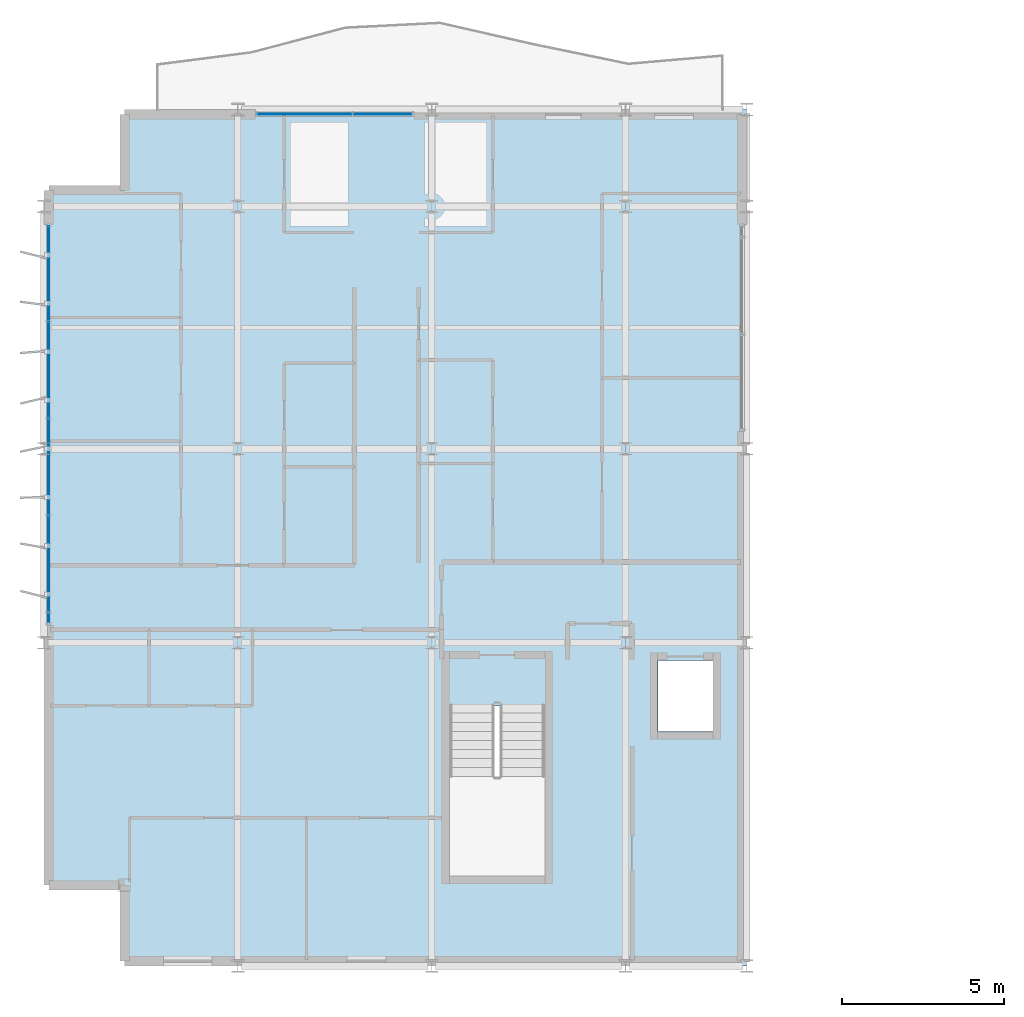
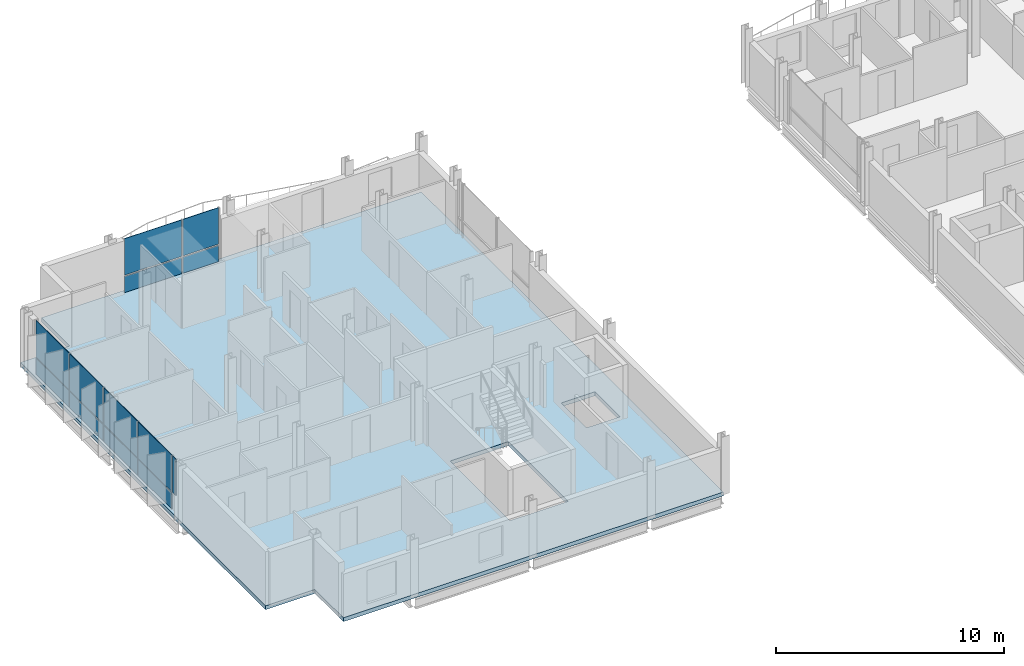
# One storey, part 15 of 28: 13 plates, 1 slab, 2 elements without a shape of their own.
"""IFC4 building model written with IfcOpenShell, lengths in metres."""

from ifc_helpers import new_model, si_unit, direction, frame, origin, origin_2d, place, context, subcontext, project, spatial, polyline, rectangle, outline, extrude, material, layer, layer_set, type_object, element, aggregate, save


model = new_model("IFC4")

# Units and contexts
model_context = context("Model", 3, precision=1e-05, world=origin(), true_north=direction((0.0, 1.0)))
body_context = subcontext(model_context, "Body", "Model", "MODEL_VIEW")
ifc_project = project(units=[si_unit("LENGTHUNIT", "METRE"), si_unit("AREAUNIT", "SQUARE_METRE"), si_unit("VOLUMEUNIT", "CUBIC_METRE"), si_unit("PLANEANGLEUNIT", "RADIAN"), si_unit("MASSUNIT", "GRAM", prefix="KILO")], contexts=[model_context])

# Site, building, storey
site_placement = place(None, origin())
site = spatial("IfcSite", under=ifc_project, at=site_placement, CompositionType="ELEMENT")
building_placement = place(site_placement, origin())
building = spatial("IfcBuilding", under=site, at=building_placement, Name="Brevholm Reach", CompositionType="ELEMENT")
storey_placement = place(building_placement, frame((0.0, 0.0, 192.5)))
storey = spatial("IfcBuildingStorey", under=building, at=storey_placement, Name="L58", CompositionType="ELEMENT", Elevation=192.5)

# Curtain wall, plates
ifc_material_1 = material(Name="Dark Anodised Aluminium 6063-T6 and Solar-Control Glass", Category="aluminium")
ifc_layer_1 = layer(ifc_material_1, 0.14990234375)
ifc_layer_set_1 = layer_set([ifc_layer_1], Name="Dark Anodised Aluminium 6063-T6 and Solar-Control Glass")
curtain_wall_type = type_object("IfcCurtainWallType", Name="CW-01", PredefinedType="NOTDEFINED", material=ifc_layer_set_1)
curtain_wall_1_placement = place(storey_placement, origin())
curtain_wall_1 = element("IfcCurtainWall", 1, at=curtain_wall_1_placement, inside=storey, type_object=curtain_wall_type, Name="L58 Curtain Wall CW-01", PredefinedType="NOTDEFINED")
ifc_material_2 = material(Name="Dark Solar-Control Double-Glazed IGU Glass", Category="glass")
ifc_layer_2 = layer(ifc_material_2, 0.028076171875)
ifc_layer_set_2 = layer_set([ifc_layer_2], Name="Dark Solar-Control Double-Glazed IGU Glass")
plate_type = type_object("IfcPlateType", Name="CWP-GLZ-28", PredefinedType="CURTAIN_PANEL", material=ifc_layer_set_2)
plate_1_placement = place(storey_placement, frame((0.14990234375, 21.433837890625, 0.0), z_axis=(0.0, 0.0, 1.0), x_axis=(0.0, -1.0, 0.0)))
plate_1 = element("IfcPlate", 2, at=plate_1_placement, type_object=plate_type, Name="CP-01 Glazing Panel 1.1", PredefinedType="CURTAIN_PANEL", context=body_context, shape_type="SweptSolid", body=[
    extrude(rectangle(XDim=2.902587890625, YDim=0.028076171875, at=origin_2d()), origin(), (0.0, 0.0, 1.0), 0.867431640625),
])
plate_2_placement = place(storey_placement, frame((0.14990234375, 21.433837890625, 0.932373046875), z_axis=(0.0, 0.0, 1.0), x_axis=(0.0, -1.0, 0.0)))
plate_2 = element("IfcPlate", 3, at=plate_2_placement, type_object=plate_type, Name="CP-01 Glazing Panel 1.2", PredefinedType="CURTAIN_PANEL", context=body_context, shape_type="SweptSolid", body=[
    extrude(rectangle(XDim=2.902587890625, YDim=0.028076171875, at=origin_2d()), origin(), (0.0, 0.0, 1.0), 1.95751953125),
])
plate_3_placement = place(storey_placement, frame((0.14990234375, 18.449951171875, 0.0), z_axis=(0.0, 0.0, 1.0), x_axis=(0.0, -1.0, 0.0)))
plate_3 = element("IfcPlate", 4, at=plate_3_placement, type_object=plate_type, Name="CP-01 Glazing Panel 2.1", PredefinedType="CURTAIN_PANEL", context=body_context, shape_type="SweptSolid", body=[
    extrude(rectangle(XDim=2.93505859375, YDim=0.028076171875, at=origin_2d()), origin(), (0.0, 0.0, 1.0), 0.867431640625),
])
plate_4_placement = place(storey_placement, frame((0.14990234375, 18.449951171875, 0.932373046875), z_axis=(0.0, 0.0, 1.0), x_axis=(0.0, -1.0, 0.0)))
plate_4 = element("IfcPlate", 5, at=plate_4_placement, type_object=plate_type, Name="CP-01 Glazing Panel 2.2", PredefinedType="CURTAIN_PANEL", context=body_context, shape_type="SweptSolid", body=[
    extrude(rectangle(XDim=2.93505859375, YDim=0.028076171875, at=origin_2d()), origin(), (0.0, 0.0, 1.0), 1.95751953125),
])
plate_5_placement = place(storey_placement, frame((0.14990234375, 15.449951171875, 0.0), z_axis=(0.0, 0.0, 1.0), x_axis=(0.0, -1.0, 0.0)))
plate_5 = element("IfcPlate", 6, at=plate_5_placement, type_object=plate_type, Name="CP-01 Glazing Panel 3.1", PredefinedType="CURTAIN_PANEL", context=body_context, shape_type="SweptSolid", body=[
    extrude(rectangle(XDim=2.93505859375, YDim=0.028076171875, at=origin_2d()), origin(), (0.0, 0.0, 1.0), 0.867431640625),
])
plate_6_placement = place(storey_placement, frame((0.14990234375, 15.449951171875, 0.932373046875), z_axis=(0.0, 0.0, 1.0), x_axis=(0.0, -1.0, 0.0)))
plate_6 = element("IfcPlate", 7, at=plate_6_placement, type_object=plate_type, Name="CP-01 Glazing Panel 3.2", PredefinedType="CURTAIN_PANEL", context=body_context, shape_type="SweptSolid", body=[
    extrude(rectangle(XDim=2.93505859375, YDim=0.028076171875, at=origin_2d()), origin(), (0.0, 0.0, 1.0), 1.95751953125),
])
plate_7_placement = place(storey_placement, frame((0.14990234375, 12.449951171875, 0.0), z_axis=(0.0, 0.0, 1.0), x_axis=(0.0, -1.0, 0.0)))
plate_7 = element("IfcPlate", 8, at=plate_7_placement, type_object=plate_type, Name="CP-01 Glazing Panel 4.1", PredefinedType="CURTAIN_PANEL", context=body_context, shape_type="SweptSolid", body=[
    extrude(rectangle(XDim=2.93505859375, YDim=0.028076171875, at=origin_2d()), origin(), (0.0, 0.0, 1.0), 0.867431640625),
])
plate_8_placement = place(storey_placement, frame((0.14990234375, 12.449951171875, 0.932373046875), z_axis=(0.0, 0.0, 1.0), x_axis=(0.0, -1.0, 0.0)))
plate_8 = element("IfcPlate", 9, at=plate_8_placement, type_object=plate_type, Name="CP-01 Glazing Panel 4.2", PredefinedType="CURTAIN_PANEL", context=body_context, shape_type="SweptSolid", body=[
    extrude(rectangle(XDim=2.93505859375, YDim=0.028076171875, at=origin_2d()), origin(), (0.0, 0.0, 1.0), 1.95751953125),
])
plate_9_placement = place(storey_placement, frame((0.14990234375, 10.766357421875, 0.932373046875), z_axis=(0.0, 0.0, 1.0), x_axis=(0.0, -1.0, 0.0)))
plate_9 = element("IfcPlate", 10, at=plate_9_placement, type_object=plate_type, Name="CP-01 Glazing Panel 5.2", PredefinedType="CURTAIN_PANEL", context=body_context, shape_type="SweptSolid", body=[
    extrude(rectangle(XDim=0.302490234375, YDim=0.028076171875, at=origin_2d()), origin(), (0.0, 0.0, 1.0), 1.95751953125),
])
aggregate(curtain_wall_1, [plate_1, plate_2, plate_3, plate_4, plate_5, plate_6, plate_7, plate_8, plate_9])

curtain_wall_2_placement = place(storey_placement, origin())
curtain_wall_2 = element("IfcCurtainWall", 11, at=curtain_wall_2_placement, inside=storey, type_object=curtain_wall_type, Name="L58 Curtain Wall CW-01", PredefinedType="NOTDEFINED")
plate_10_placement = place(storey_placement, frame((8.066162109375, 26.35009765625, 0.0), z_axis=(0.0, 0.0, 1.0), x_axis=(1.0, 0.0, 0.0)))
plate_10 = element("IfcPlate", 12, at=plate_10_placement, type_object=plate_type, Name="CP-01 Glazing Panel 1.1", PredefinedType="CURTAIN_PANEL", context=body_context, shape_type="SweptSolid", body=[
    extrude(rectangle(XDim=2.902587890625, YDim=0.028076171875, at=origin_2d()), origin(), (0.0, 0.0, 1.0), 0.867431640625),
])
plate_11_placement = place(storey_placement, frame((8.066162109375, 26.35009765625, 0.932373046875), z_axis=(0.0, 0.0, 1.0), x_axis=(1.0, 0.0, 0.0)))
plate_11 = element("IfcPlate", 13, at=plate_11_placement, type_object=plate_type, Name="CP-01 Glazing Panel 1.2", PredefinedType="CURTAIN_PANEL", context=body_context, shape_type="SweptSolid", body=[
    extrude(rectangle(XDim=2.902587890625, YDim=0.028076171875, at=origin_2d()), origin(), (0.0, 0.0, 1.0), 1.95751953125),
])
plate_12_placement = place(storey_placement, frame((10.483642578125, 26.35009765625, 0.0), z_axis=(0.0, 0.0, 1.0), x_axis=(1.0, 0.0, 0.0)))
plate_12 = element("IfcPlate", 14, at=plate_12_placement, type_object=plate_type, Name="CP-01 Glazing Panel 2.1", PredefinedType="CURTAIN_PANEL", context=body_context, shape_type="SweptSolid", body=[
    extrude(rectangle(XDim=1.802490234375, YDim=0.028076171875, at=origin_2d()), origin(), (0.0, 0.0, 1.0), 0.867431640625),
])
plate_13_placement = place(storey_placement, frame((10.483642578125, 26.35009765625, 0.932373046875), z_axis=(0.0, 0.0, 1.0), x_axis=(1.0, 0.0, 0.0)))
plate_13 = element("IfcPlate", 15, at=plate_13_placement, type_object=plate_type, Name="CP-01 Glazing Panel 2.2", PredefinedType="CURTAIN_PANEL", context=body_context, shape_type="SweptSolid", body=[
    extrude(rectangle(XDim=1.802490234375, YDim=0.028076171875, at=origin_2d()), origin(), (0.0, 0.0, 1.0), 1.95751953125),
])
aggregate(curtain_wall_2, [plate_10, plate_11, plate_12, plate_13])

# Slab
ifc_material_3 = material(Name="Concrete C40/50", Category="concrete")
ifc_layer_3 = layer(ifc_material_3, 0.2099609375)
ifc_layer_set_3 = layer_set([ifc_layer_3], Name="Concrete C40/50")
slab_type = type_object("IfcSlabType", Name="SLB-FL-210", PredefinedType="FLOOR", material=ifc_layer_set_3)
slab_placement = place(storey_placement, frame((0.0, 0.0, -0.2099609375)))
element("IfcSlab", 16, at=slab_placement, inside=storey, type_object=slab_type, Name="L58 Suspended Floor Slab (west-wing)", PredefinedType="FLOOR", context=body_context, shape_type="SweptSolid", body=[
    extrude(outline(polyline([(2.5, 0.0), (21.75, 0.0), (21.75, 26.5), (2.5, 26.5), (2.5, 24.0), (0.0, 24.0), (0.0, 2.5), (2.5, 2.5), (2.5, 0.0)]), holes=[polyline([(12.550048828125, 2.780029296875), (15.5, 2.780029296875), (15.5, 8.044921875), (12.550048828125, 8.044921875), (12.550048828125, 2.780029296875)]), polyline([(19.0, 7.25), (20.699951171875, 7.25), (20.699951171875, 9.449951171875), (19.0, 9.449951171875), (19.0, 7.25)])]), origin(), (0.0, 0.0, 1.0), 0.2099609375),
])

save(model, "model.ifc")
